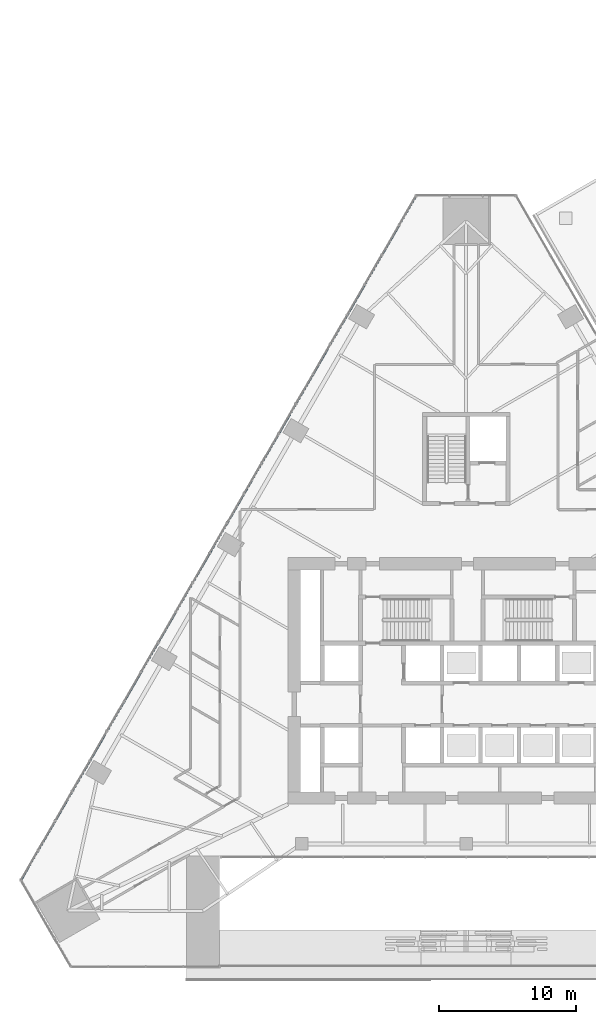
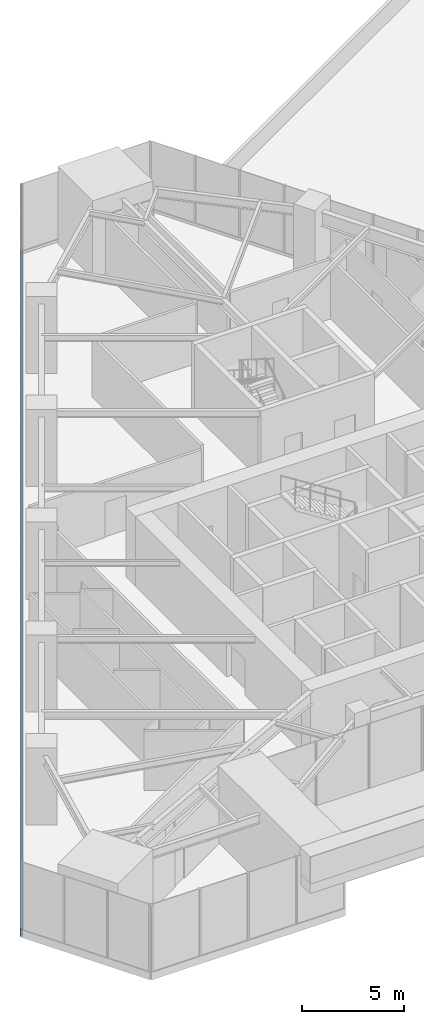
# One storey, part 8 of 23: 1 member, 1 element without a shape of its own.
"""IFC4 building model written with IfcOpenShell, lengths in metres."""

from ifc_helpers import new_model, si_unit, direction, frame, origin, origin_2d, place, context, subcontext, project, spatial, rectangle, extrude, material, layer, layer_set, material_profile, profile_set, type_object, element, aggregate, save


model = new_model("IFC4")

# Units and contexts
model_context = context("Model", 3, precision=1e-05, world=origin(), true_north=direction((0.0, 1.0)))
body_context = subcontext(model_context, "Body", "Model", "MODEL_VIEW")
ifc_project = project(units=[si_unit("LENGTHUNIT", "METRE"), si_unit("AREAUNIT", "SQUARE_METRE"), si_unit("VOLUMEUNIT", "CUBIC_METRE"), si_unit("PLANEANGLEUNIT", "RADIAN"), si_unit("MASSUNIT", "GRAM", prefix="KILO")], contexts=[model_context])

# Site, building, storey
site_placement = place(None, origin())
site = spatial("IfcSite", under=ifc_project, at=site_placement, CompositionType="ELEMENT")
building_placement = place(site_placement, origin())
building = spatial("IfcBuilding", under=site, at=building_placement, Name="Firuza Gate Tower and Library", CompositionType="ELEMENT")
storey_placement = place(building_placement, frame((0.0, 0.0, 26.39990234375)))
storey = spatial("IfcBuildingStorey", under=building, at=storey_placement, Name="L05", CompositionType="ELEMENT", Elevation=26.39990234375)

# Curtain wall, member
ifc_material_1 = material(Name="Aluminium 6063-T6", Category="aluminium")
ifc_layer = layer(ifc_material_1, 0.14990234375)
ifc_layer_set = layer_set([ifc_layer], Name="Stick curtain wall, podium")
curtain_wall_type = type_object("IfcCurtainWallType", Name="Stick curtain wall, podium", PredefinedType="NOTDEFINED", material=ifc_layer_set)
curtain_wall_placement = place(storey_placement, origin())
curtain_wall = element("IfcCurtainWall", 1, at=curtain_wall_placement, inside=storey, type_object=curtain_wall_type, Name="CW5 L05 W", PredefinedType="NOTDEFINED")
ifc_material_2 = material(Name="Aluminium 6063-T6", Category="aluminium")
ifc_material_profile = material_profile(ifc_material_2, rectangle(XDim=0.14990234375, YDim=0.449951171875, at=origin_2d()))
ifc_profile_set = profile_set([ifc_material_profile], Name="Aluminium 6063-T6")
member_type = type_object("IfcMemberType", Name="Curtain wall transom 450x150", PredefinedType="USERDEFINED", material=ifc_profile_set)
member_placement = place(storey_placement, frame((71.356689453125, 110.408935546875, -0.074951171875), z_axis=(-0.499998069382, -0.866026518424, 0.0), x_axis=(0.866026518424, -0.499998069382, 0.0)))
member = element("IfcMember", 2, at=member_placement, type_object=member_type, Name="Transom", ObjectType="TRANSOM", PredefinedType="USERDEFINED", context=body_context, shape_type="SweptSolid", body=[
    extrude(rectangle(XDim=0.14990234375, YDim=0.449951171875, at=origin_2d()), origin(), (0.0, 0.0, 1.0), 57.686767578125),
])
aggregate(curtain_wall, [member])

save(model, "model.ifc")
